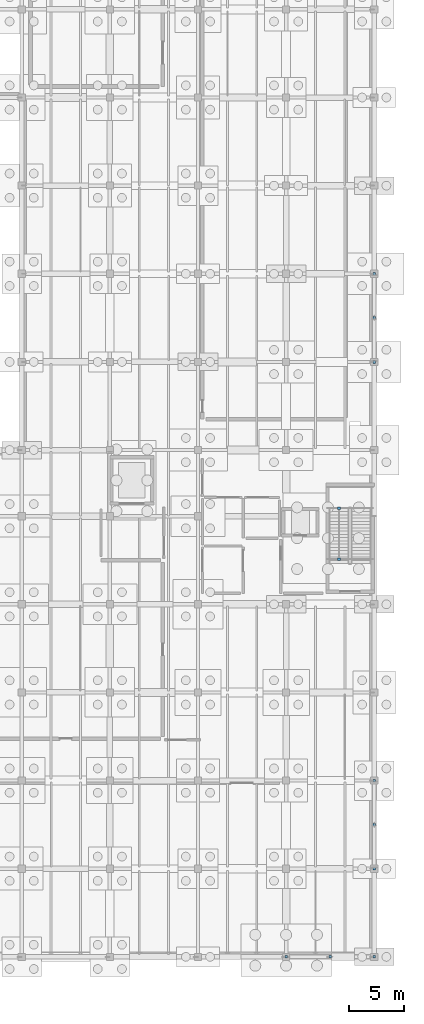
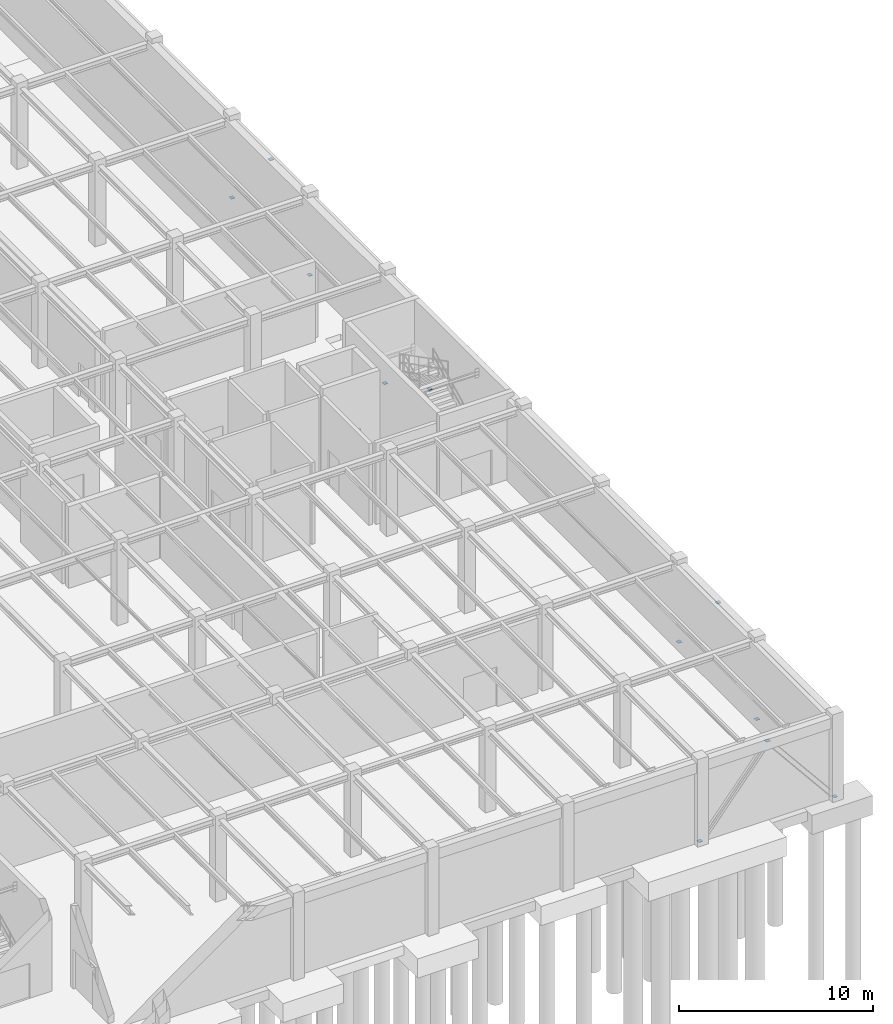
# One storey, part 64 of 71: 11 discrete accessories.
"""IFC4 building model written with IfcOpenShell, lengths in metres."""

from ifc_helpers import new_model, si_unit, direction, frame, origin, origin_2d, place, context, subcontext, project, spatial, rectangle, extrude, material, type_object, element, save


model = new_model("IFC4")

# Units and contexts
model_context = context("Model", 3, precision=1e-05, world=origin(), true_north=direction((0.0, 1.0)))
body_context = subcontext(model_context, "Body", "Model", "MODEL_VIEW")
ifc_project = project(units=[si_unit("LENGTHUNIT", "METRE"), si_unit("AREAUNIT", "SQUARE_METRE"), si_unit("VOLUMEUNIT", "CUBIC_METRE"), si_unit("PLANEANGLEUNIT", "RADIAN"), si_unit("MASSUNIT", "GRAM", prefix="KILO")], contexts=[model_context])

# Site, building, storey
site_placement = place(None, origin())
site = spatial("IfcSite", under=ifc_project, at=site_placement, CompositionType="ELEMENT")
building_placement = place(site_placement, origin())
building = spatial("IfcBuilding", under=site, at=building_placement, Name="Sundkrona Museum", CompositionType="ELEMENT")
storey_placement = place(building_placement, frame((0.0, 0.0, -5.39990234375)))
storey = spatial("IfcBuildingStorey", under=building, at=storey_placement, Name="B1", CompositionType="ELEMENT", Elevation=-5.39990234375)

# Discrete accessories
ifc_material = material(Name="Stainless Steel EN 1.4404 Cleat", Category="steel")
discrete_accessory_type = type_object("IfcDiscreteAccessoryType", Name="BRK-FIN-01", PredefinedType="BRACKET", material=ifc_material)
for number, where, z_axis, x_axis, name in (
    (1, (160.0, 0.0, -0.012451171875), (0.0, 0.0, 1.0), (1.0, 0.0, 0.0), "Brace and Strut End Connection Plate BR-B1-001A-1"),
    (2, (164.0, 0.0, 4.887451171875), (0.0, 0.0, 1.0), (1.0, 0.0, 0.0), "Brace and Strut End Connection Plate BR-B1-001A-2"),
    (3, (168.0, 0.0, -0.012451171875), (0.0, 0.0, 1.0), (1.0, 0.0, 0.0), "Brace and Strut End Connection Plate BR-B1-001B-1"),
    (4, (168.0, 8.0, -0.012451171875), (0.0, 0.0, 1.0), (1.0, 0.0, 0.0), "Brace and Strut End Connection Plate BR-B1-007A-1"),
    (5, (168.0, 12.0, 4.887451171875), (0.0, 0.0, 1.0), (1.0, 0.0, 0.0), "Brace and Strut End Connection Plate BR-B1-007A-2"),
    (6, (168.0, 16.0, -0.012451171875), (0.0, 0.0, 1.0), (1.0, 0.0, 0.0), "Brace and Strut End Connection Plate BR-B1-007B-1"),
    (7, (168.0, 54.0, -0.012451171875), (0.0, 0.0, 1.0), (1.0, 0.0, 0.0), "Brace and Strut End Connection Plate BR-B1-025A-1"),
    (8, (168.0, 58.0, 4.8173828125), (0.0, 0.0, 1.0), (1.0, 0.0, 0.0), "Brace and Strut End Connection Plate BR-B1-025A-2"),
    (9, (168.0, 62.0, -0.012451171875), (0.0, 0.0, 1.0), (1.0, 0.0, 0.0), "Brace and Strut End Connection Plate BR-B1-025B-1"),
    (10, (164.800048828125, 40.715087890625, 2.367431640625), (0.0, 0.0, 1.0), (1.0, 0.0, 0.0), "Brace and Strut End Connection Plate RK-ST-ST-1-B1-2-1"),
    (11, (164.800048828125, 36.10009765625, 4.8017578125), (0.0, 0.0, 1.0), (1.0, 0.0, 0.0), "Brace and Strut End Connection Plate RK-ST-ST-1-B1-2-2"),
):
    element("IfcDiscreteAccessory", number, at=place(storey_placement, frame(where, z_axis=z_axis, x_axis=x_axis)), inside=storey, type_object=discrete_accessory_type, Name=name, PredefinedType="BRACKET", context=body_context, shape_type="SweptSolid", body=[
        extrude(rectangle(XDim=0.239990234375, YDim=0.239990234375, at=origin_2d()), origin(), (0.0, 0.0, 1.0), 0.02490234375),
    ])

save(model, "model.ifc")
